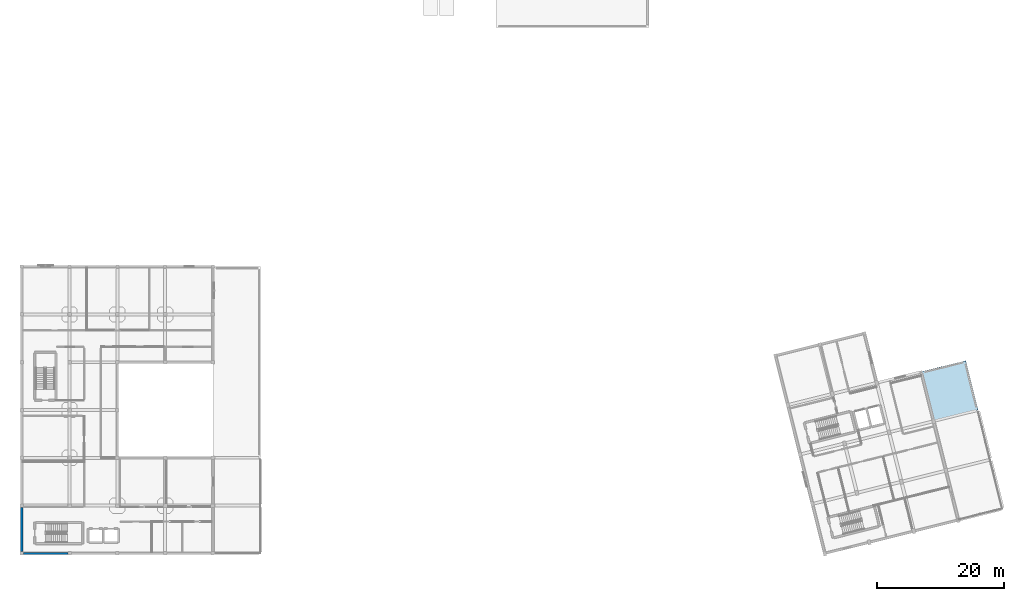
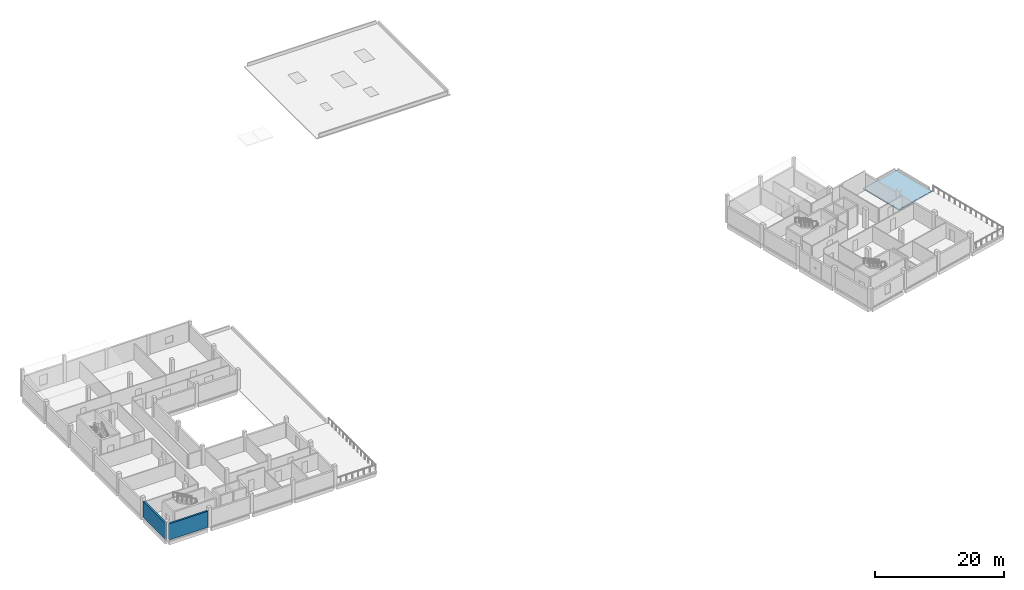
# One storey, part 3 of 14: 2 walls, 1 slab.
"""IFC4 building model written with IfcOpenShell, lengths in metres."""

from ifc_helpers import new_model, si_unit, direction, frame, frame_2d, origin, place, context, subcontext, project, spatial, polyline, rectangle, outline, extrude, material, layer, layer_set, type_object, element, save


model = new_model("IFC4")

# Units and contexts
model_context = context("Model", 3, precision=1e-05, world=origin(), true_north=direction((0.0, 1.0)))
body_context = subcontext(model_context, "Body", "Model", "MODEL_VIEW")
ifc_project = project(units=[si_unit("LENGTHUNIT", "METRE"), si_unit("AREAUNIT", "SQUARE_METRE"), si_unit("VOLUMEUNIT", "CUBIC_METRE"), si_unit("PLANEANGLEUNIT", "RADIAN"), si_unit("MASSUNIT", "GRAM", prefix="KILO")], contexts=[model_context])

# Site, building, storey
site_placement = place(None, origin())
site = spatial("IfcSite", under=ifc_project, at=site_placement, CompositionType="ELEMENT")
building_placement = place(site_placement, origin())
building = spatial("IfcBuilding", under=site, at=building_placement, Name="Mawjan Specialist Oncology Clinic", CompositionType="ELEMENT")
storey_placement = place(building_placement, frame((0.0, 0.0, 17.5)))
storey = spatial("IfcBuildingStorey", under=building, at=storey_placement, Name="L04", CompositionType="ELEMENT", Elevation=17.5)

# Slab
ifc_material_1 = material(Name="Concrete C35/45", Category="concrete")
ifc_layer_1 = layer(ifc_material_1, 0.199951171875, Name="Concrete C35/45", Category="concrete")
ifc_layer_set_1 = layer_set([ifc_layer_1], Name="Concrete C35/45")
slab_type = type_object("IfcSlabType", Name="RF-OVR200", PredefinedType="ROOF", material=ifc_layer_set_1)
slab_placement = place(storey_placement, frame((0.0, 0.0, -0.280029296875)))
element("IfcSlab", 1, at=slab_placement, inside=storey, type_object=slab_type, Name="Research Wing L03 East Step-Back Roof Deck", PredefinedType="ROOF", context=body_context, shape_type="SweptSolid", body=[
    extrude(outline(polyline([(143.102294921875, 21.574462890625), (150.06884765625, 23.3115234375), (148.138427734375, 31.054443359375), (141.171630859375, 29.3173828125), (143.102294921875, 21.574462890625)])), origin(), (0.0, 0.0, 1.0), 0.199951171875),
])

# Walls
ifc_material_2 = material(Name="Precast concrete C40/50", Category="concrete")
ifc_layer_2 = layer(ifc_material_2, 0.320068359375, Name="Precast concrete C40/50", Category="concrete")
ifc_layer_set_2 = layer_set([ifc_layer_2], Name="Precast concrete C40/50")
wall_type = type_object("IfcWallType", Name="EW-320", PredefinedType="SOLIDWALL", material=ifc_layer_set_2)
wall_1_placement = place(storey_placement, frame((7.22509765625, 0.800048828125, 0.0), z_axis=(0.0, 0.0, 1.0), x_axis=(-1.0, 0.0, 0.0)))
element("IfcWall", 2, at=wall_1_placement, inside=storey, type_object=wall_type, Name="L04 Coral-Limestone Exterior Wall EW-L04-353", PredefinedType="SOLIDWALL", context=body_context, shape_type="SweptSolid", body=[
    extrude(rectangle(XDim=6.9501953125, YDim=0.320068359375, at=frame_2d((3.47509765625, 0.0))), origin(), (0.0, 0.0, 1.0), 3.054931640625),
])
wall_2_placement = place(storey_placement, frame((0.0, 1.074951171875, 0.0), z_axis=(0.0, 0.0, 1.0), x_axis=(0.0, 1.0, 0.0)))
element("IfcWall", 3, at=wall_2_placement, inside=storey, type_object=wall_type, Name="L04 Coral-Limestone Exterior Wall EW-L04-354", PredefinedType="SOLIDWALL", context=body_context, shape_type="SweptSolid", body=[
    extrude(rectangle(XDim=6.949951171875, YDim=0.320068359375, at=frame_2d((3.47509765625, 0.0))), origin(), (0.0, 0.0, 1.0), 3.0048828125),
])

save(model, "model.ifc")
